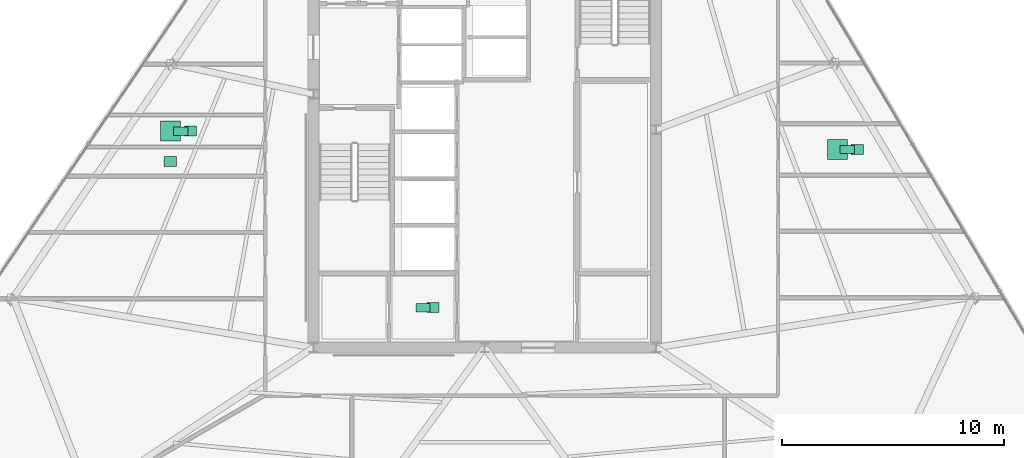
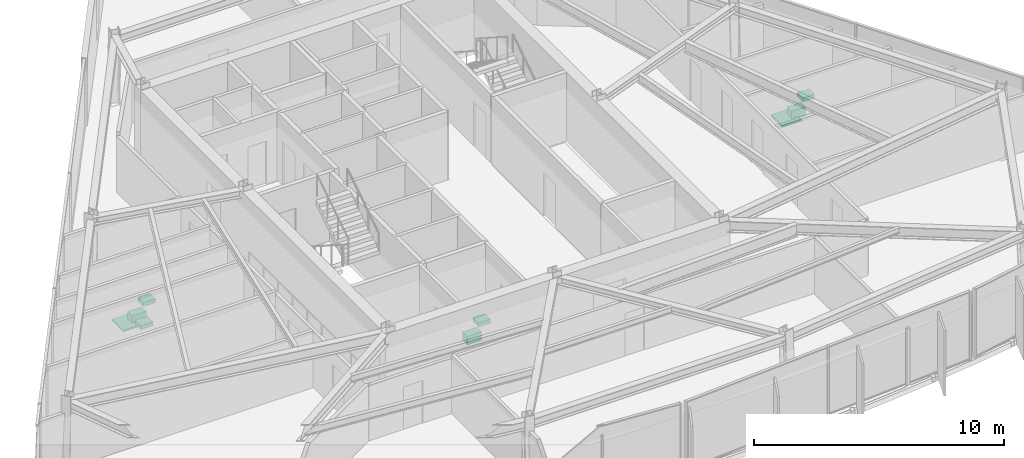
# One storey, part 16 of 16: 9 sanitary terminals.
"""IFC4 building model written with IfcOpenShell, lengths in metres."""

from ifc_helpers import new_model, si_unit, direction, frame, origin, origin_2d, place, context, subcontext, project, spatial, rectangle, extrude, material, type_object, element, save


model = new_model("IFC4")

# Units and contexts
model_context = context("Model", 3, precision=1e-05, world=origin(), true_north=direction((0.0, 1.0)))
body_context = subcontext(model_context, "Body", "Model", "MODEL_VIEW")
ifc_project = project(units=[si_unit("LENGTHUNIT", "METRE"), si_unit("AREAUNIT", "SQUARE_METRE"), si_unit("VOLUMEUNIT", "CUBIC_METRE"), si_unit("PLANEANGLEUNIT", "RADIAN"), si_unit("MASSUNIT", "GRAM", prefix="KILO")], contexts=[model_context])

# Site, building, storey
site_placement = place(None, origin())
site = spatial("IfcSite", under=ifc_project, at=site_placement, CompositionType="ELEMENT")
building_placement = place(site_placement, origin())
building = spatial("IfcBuilding", under=site, at=building_placement, Name="Savorim Split Tower", CompositionType="ELEMENT")
storey_placement = place(building_placement, frame((0.0, 0.0, 153.0)))
storey = spatial("IfcBuildingStorey", under=building, at=storey_placement, Name="L40", CompositionType="ELEMENT", Elevation=153.0)

# Sanitary terminals
ifc_material = material(Name="Vitreous China Sanitaryware")
sanitary_terminal_type_1 = type_object("IfcSanitaryTerminalType", Name="SAN-SHW-900", PredefinedType="SHOWER", material=ifc_material)
for number, where, z_axis, x_axis, name in (
    (1, (-14.12060546875, 0.33544921875, 0.0), (0.0, 0.0, 1.0), (1.0, 0.0, 0.0), "L40 Shared Bathroom Shower"),
    (2, (15.845703125, -0.49560546875, 0.0), (0.0, 0.0, 1.0), (1.0, 0.0, 0.0), "L40 Shared Bathroom Shower"),
):
    element("IfcSanitaryTerminal", number, at=place(storey_placement, frame(where, z_axis=z_axis, x_axis=x_axis)), inside=storey, type_object=sanitary_terminal_type_1, Name=name, PredefinedType="SHOWER", context=body_context, shape_type="SweptSolid", body=[
        extrude(rectangle(XDim=0.89990234375, YDim=0.89990234375, at=origin_2d()), origin(), (0.0, 0.0, 1.0), 0.080078125),
    ])
sanitary_terminal_type_2 = type_object("IfcSanitaryTerminalType", Name="SAN-WC-PAN", PredefinedType="TOILETPAN", material=ifc_material)
for number, where, z_axis, x_axis, name in (
    (3, (-2.77490234375, -7.60009765625, 0.0), (0.0, 0.0, 1.0), (1.0, 0.0, 0.0), "L40 Accessible WC WC Pan"),
    (4, (-13.67041015625, 0.33544921875, 0.0), (0.0, 0.0, 1.0), (1.0, 0.0, 0.0), "L40 Shared Bathroom WC Pan"),
    (5, (16.295654296875, -0.49560546875, 0.0), (0.0, 0.0, 1.0), (1.0, 0.0, 0.0), "L40 Shared Bathroom WC Pan"),
):
    element("IfcSanitaryTerminal", number, at=place(storey_placement, frame(where, z_axis=z_axis, x_axis=x_axis)), inside=storey, type_object=sanitary_terminal_type_2, Name=name, PredefinedType="TOILETPAN", context=body_context, shape_type="SweptSolid", body=[
        extrude(rectangle(XDim=0.64990234375, YDim=0.3798828125, at=origin_2d()), origin(), (0.0, 0.0, 1.0), 0.419921875),
    ])
sanitary_terminal_type_3 = type_object("IfcSanitaryTerminalType", Name="SAN-WHB-550", PredefinedType="WASHHANDBASIN", material=ifc_material)
for number, where, z_axis, x_axis, name in (
    (6, (-2.324951171875, -7.60009765625, 0.72021484375), (0.0, 0.0, 1.0), (1.0, 0.0, 0.0), "L40 Accessible WC Washhand Basin"),
    (7, (-13.220458984375, 0.33544921875, 0.72021484375), (0.0, 0.0, 1.0), (1.0, 0.0, 0.0), "L40 Shared Bathroom Washhand Basin"),
    (8, (-14.138916015625, -1.04150390625, 0.75), (0.0, 0.0, 1.0), (1.0, 0.0, 0.0), "L40 Shared Kitchen Utility Sink"),
    (9, (16.74560546875, -0.49560546875, 0.72021484375), (0.0, 0.0, 1.0), (1.0, 0.0, 0.0), "L40 Shared Bathroom Washhand Basin"),
):
    element("IfcSanitaryTerminal", number, at=place(storey_placement, frame(where, z_axis=z_axis, x_axis=x_axis)), inside=storey, type_object=sanitary_terminal_type_3, Name=name, PredefinedType="WASHHANDBASIN", context=body_context, shape_type="SweptSolid", body=[
        extrude(rectangle(XDim=0.550048828125, YDim=0.449951171875, at=origin_2d()), origin(), (0.0, 0.0, 1.0), 0.199951171875),
    ])

save(model, "model.ifc")
